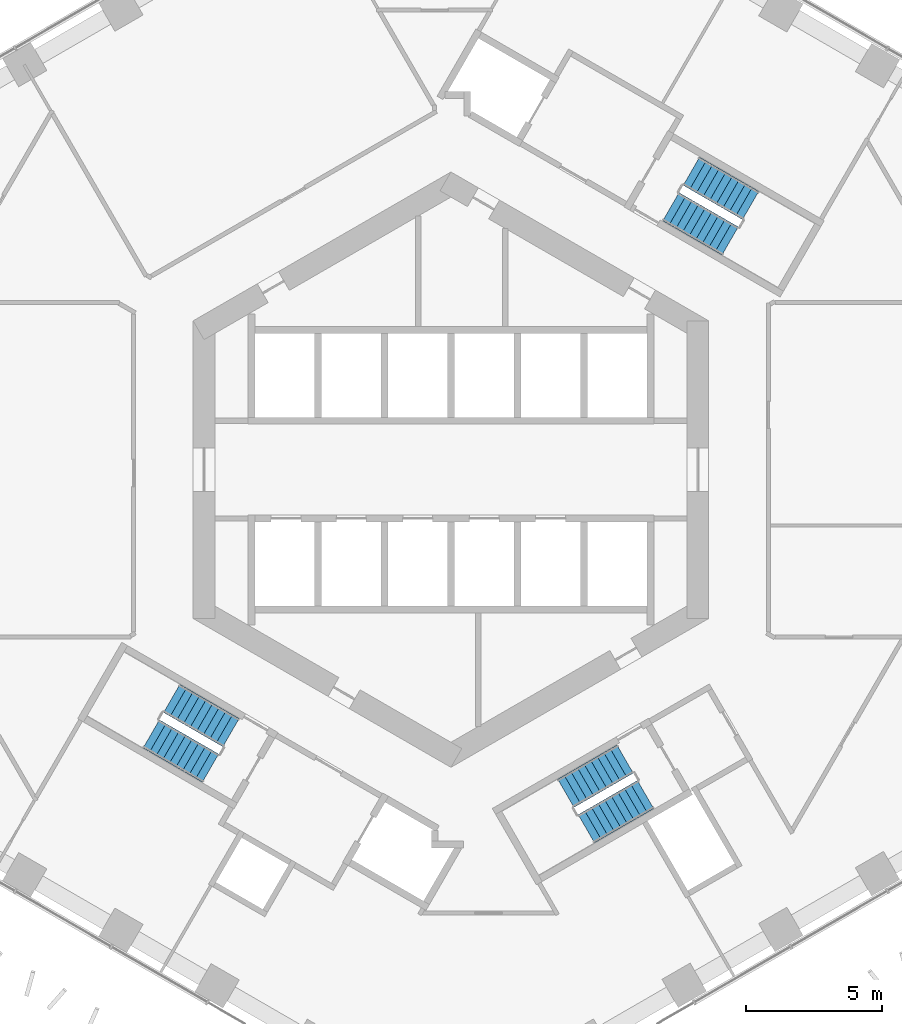
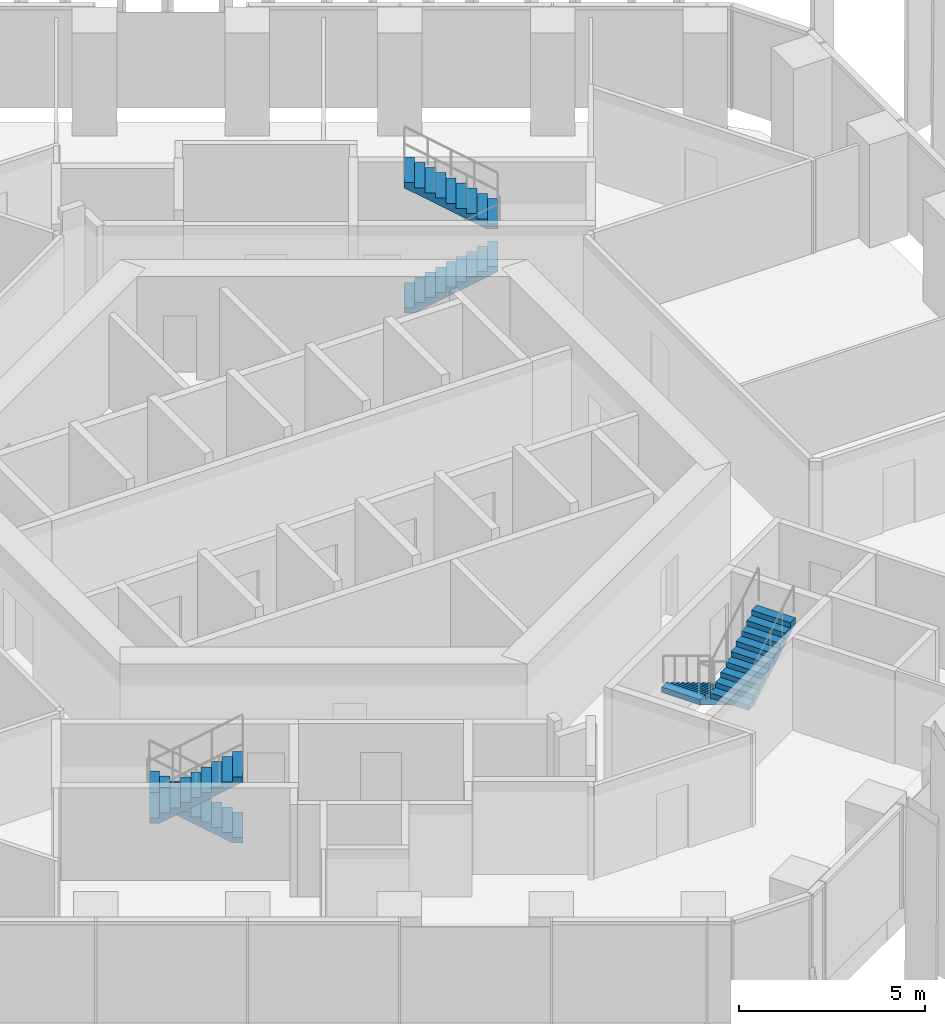
# One storey, part 15 of 18: 6 stair flights, 3 elements without a shape of their own.
"""IFC4 building model written with IfcOpenShell, lengths in metres."""

import ifcopenshell
import ifcopenshell.guid

model = None  # the IFC model being written
_history = None  # IfcOwnerHistory: only IFC2X3 demands one
_inside = {}  # id of a spatial element -> (the spatial element, [elements in it])
_under = {}  # id of a project, library or spatial element -> (it, [spatial elements below it])
_declared = {}  # id of a project -> (the project, [libraries it declares])
_typed = {}  # id of a type object -> (the type object, [elements of that type])
_made_of = {}  # id of a material, layer set ... -> (it, [elements and type objects made of it])


def new_model(schema):
    """Start an empty IFC model of exactly this schema.

    Asked for "IFC4X3", IfcOpenShell would pick the latest addendum, in which some entities
    have other attributes; the version numbers below select the first issue.
    IFC2X3 requires an IfcOwnerHistory on every rooted entity: one is made here for all.
    """
    global model, _history
    if schema == "IFC4X3":
        model = ifcopenshell.file(schema_version=(4, 3, 0, 0))
    else:
        model = ifcopenshell.file(schema=schema)
    _inside.clear()
    _under.clear()
    _declared.clear()
    _typed.clear()
    _made_of.clear()
    _history = None
    if model.schema == "IFC2X3":
        org = make("IfcOrganization", Name="unknown")
        user = make(
            "IfcPersonAndOrganization",
            ThePerson=make("IfcPerson", FamilyName="unknown"),
            TheOrganization=org,
        )
        app = make(
            "IfcApplication",
            ApplicationDeveloper=org,
            Version="unknown",
            ApplicationFullName="unknown",
            ApplicationIdentifier="unknown",
        )
        _history = make(
            "IfcOwnerHistory",
            OwningUser=user,
            OwningApplication=app,
            ChangeAction="ADDED",
            CreationDate=0,
        )
    return model


def make(cls, **values):
    """One entity of the class cls with the attributes given. An attribute that is None is left unset."""
    return model.create_entity(
        cls, **{name: value for name, value in values.items() if value is not None}
    )


def rooted(cls, **values):
    """An entity with a GlobalId (a new one), such as an element, a storey or a relation."""
    return make(cls, GlobalId=ifcopenshell.guid.new(), OwnerHistory=_history, **values)


def si_unit(unit_type, name, prefix=None):
    """IfcSIUnit, for example si_unit("LENGTHUNIT", "METRE", prefix="MILLI")."""
    return make("IfcSIUnit", UnitType=unit_type, Prefix=prefix, Name=name)


def assignment(units):
    """IfcUnitAssignment: the units of a project."""
    return None if units is None else make("IfcUnitAssignment", Units=units)


def point(xyz):
    """IfcCartesianPoint."""
    return None if xyz is None else make("IfcCartesianPoint", Coordinates=xyz)


def direction(xyz):
    """IfcDirection."""
    return None if xyz is None else make("IfcDirection", DirectionRatios=xyz)


def frame(location, z_axis=None, x_axis=None):
    """IfcAxis2Placement3D, a coordinate frame: its origin and axes. An axis left out is left unset."""
    return make(
        "IfcAxis2Placement3D",
        Location=point(location),
        Axis=direction(z_axis),
        RefDirection=direction(x_axis),
    )


def origin():
    """The frame at (0, 0, 0) with its axes left unset."""
    return frame((0.0, 0.0, 0.0))


def place(relative_to, where):
    """IfcLocalPlacement: puts the frame where relative to a parent placement (None: the world)."""
    return make(
        "IfcLocalPlacement", PlacementRelTo=relative_to, RelativePlacement=where
    )


def context(
    kind, dimensions, precision=None, world=None, true_north=None, identifier=None
):
    """IfcGeometricRepresentationContext, for example the 3D "Model" context."""
    return make(
        "IfcGeometricRepresentationContext",
        ContextIdentifier=identifier,
        ContextType=kind,
        CoordinateSpaceDimension=dimensions,
        Precision=precision,
        WorldCoordinateSystem=world,
        TrueNorth=true_north,
    )


def subcontext(parent, identifier, kind, view, scale=None):
    """IfcGeometricRepresentationSubContext, for example "Body" below "Model"."""
    return make(
        "IfcGeometricRepresentationSubContext",
        ContextIdentifier=identifier,
        ContextType=kind,
        ParentContext=parent,
        TargetScale=scale,
        TargetView=view,
    )


def project(units=None, contexts=None):
    """IfcProject with its units and contexts."""
    return rooted(
        "IfcProject",
        Name="project",
        RepresentationContexts=contexts,
        UnitsInContext=assignment(units),
    )


def spatial(cls, under=None, at=None, **own):
    """A site, building, storey or space (cls), placed at a placement, below another one or the project."""
    s = rooted(cls, ObjectPlacement=at, **own)
    if under is not None:
        _under.setdefault(under.id(), (under, []))[1].append(s)
    return s


def point_list(points):
    """IfcCartesianPointList2D or 3D."""
    cls = (
        "IfcCartesianPointList2D" if len(points[0]) == 2 else "IfcCartesianPointList3D"
    )
    return make(cls, CoordList=points)


def triangles(points, corners, closed=None, point_numbers=None):
    """IfcTriangulatedFaceSet: each triangle names its three corners, points numbered from 1."""
    return make(
        "IfcTriangulatedFaceSet",
        Coordinates=point_list(points),
        Closed=closed,
        CoordIndex=corners,
        PnIndex=point_numbers,
    )


def shape(context_of_items, identifier, shape_type, items):
    """IfcShapeRepresentation: the items that make up one representation, for example the "Body"."""
    return make(
        "IfcShapeRepresentation",
        ContextOfItems=context_of_items,
        RepresentationIdentifier=identifier,
        RepresentationType=shape_type,
        Items=items,
    )


def material(Name=None, Category=None):
    """IfcMaterial."""
    return make("IfcMaterial", Name=Name, Category=Category)


def made_of(thing, what):
    """Note that an element or type object is made of a material, layer set ...; save() writes the relation."""
    if what is not None:
        _made_of.setdefault(what.id(), (what, []))[1].append(thing)
    return thing


def type_object(cls, material=None, **own):
    """A type object (cls), such as IfcWallType, which elements share."""
    return made_of(rooted(cls, **own), material)


def element(
    cls,
    number,
    at=None,
    inside=None,
    cuts=None,
    type_object=None,
    material=None,
    context=None,
    identifier="Body",
    shape_type=None,
    held_by="IfcProductDefinitionShape",
    body=None,
    shapes=None,
    **own,
):
    """One element of the class cls, such as IfcWall. Its Tag is "e" and its number.

    at: its placement. inside: the storey or other place that contains it. cuts: it is an
    opening in that element (IfcRelVoidsElement). A single representation is given by context,
    identifier, shape_type and body (its items); several are given by shapes. held_by: the class
    of the entity that holds the representations. save() writes the other relations.
    """
    e = rooted(cls, Tag="e%d" % number, ObjectPlacement=at, **own)
    if body is not None:
        shapes = [shape(context, identifier, shape_type, body)]
    if shapes is not None:
        e.Representation = make(held_by, Representations=shapes)
    if inside is not None:
        _inside.setdefault(inside.id(), (inside, []))[1].append(e)
    if cuts is not None:
        rooted(
            "IfcRelVoidsElement", RelatingBuildingElement=cuts, RelatedOpeningElement=e
        )
    if type_object is not None:
        _typed.setdefault(type_object.id(), (type_object, []))[1].append(e)
    return made_of(e, material)


def aggregate(whole, parts):
    """IfcRelAggregates: a whole, such as a stair, and the parts it consists of."""
    return rooted("IfcRelAggregates", RelatingObject=whole, RelatedObjects=parts)


def save(model, path):
    """Write the relations noted so far, then the file.

    IfcRelAggregates (storeys below a building ...), IfcRelContainedInSpatialStructure (elements
    in a storey), IfcRelDefinesByType, IfcRelAssociatesMaterial and IfcRelDeclares: one each for
    every whole, place, type object, material and project.
    """
    for whole, parts in _under.values():
        aggregate(whole, parts)
    for where, things in _inside.values():
        rooted(
            "IfcRelContainedInSpatialStructure",
            RelatedElements=things,
            RelatingStructure=where,
        )
    for kind, things in _typed.values():
        rooted("IfcRelDefinesByType", RelatedObjects=things, RelatingType=kind)
    for what, things in _made_of.values():
        rooted("IfcRelAssociatesMaterial", RelatedObjects=things, RelatingMaterial=what)
    for by, libraries in _declared.values():
        rooted("IfcRelDeclares", RelatingContext=by, RelatedDefinitions=libraries)
    model.write(path)


model = new_model("IFC4")

# Units and contexts
model_context = context("Model", 3, precision=1e-05, world=origin(), true_north=direction((0.0, 1.0)))
body_context = subcontext(model_context, "Body", "Model", "MODEL_VIEW")
ifc_project = project(units=[si_unit("LENGTHUNIT", "METRE"), si_unit("AREAUNIT", "SQUARE_METRE"), si_unit("VOLUMEUNIT", "CUBIC_METRE"), si_unit("PLANEANGLEUNIT", "RADIAN"), si_unit("MASSUNIT", "GRAM", prefix="KILO")], contexts=[model_context])

# Site, building, storey
site_placement = place(None, origin())
site = spatial("IfcSite", under=ifc_project, at=site_placement, CompositionType="ELEMENT")
building_placement = place(site_placement, origin())
building = spatial("IfcBuilding", under=site, at=building_placement, Name="Ayvan Gate Tower", CompositionType="ELEMENT")
storey_placement = place(building_placement, frame((0.0, 0.0, 25.5)))
storey = spatial("IfcBuildingStorey", under=building, at=storey_placement, Name="L05", CompositionType="ELEMENT", Elevation=25.5)

# Stair, stair flights
ifc_material = material(Name="Concrete C40/50", Category="concrete")
stair_type = type_object("IfcStairType", Name="ST-EXIT", PredefinedType="HALF_TURN_STAIR", material=ifc_material)
stair_1_placement = place(storey_placement, origin())
stair_1 = element("IfcStair", 1, at=stair_1_placement, inside=storey, type_object=stair_type, Name="L05 Exit Stair S1", PredefinedType="HALF_TURN_STAIR")
stair_flight_type = type_object("IfcStairFlightType", Name="SFL-EXIT", PredefinedType="STRAIGHT", material=ifc_material)
stair_flight_1_placement = place(storey_placement, frame((8.106201171875, 9.690185546875, 0.0), z_axis=(0.0, 0.0, 1.0), x_axis=(0.866025403784, -0.5, 0.0)))
stair_flight_1 = element("IfcStairFlight", 2, at=stair_flight_1_placement, type_object=stair_flight_type, Name="STS1 flight 1", NumberOfRisers=10, NumberOfTreads=9, PredefinedType="STRAIGHT", RiserHeight=0.17, TreadLength=0.28, context=body_context, shape_type="Tessellation", body=[
    triangles([(0.288841, -0.599976, 0.0), (2.5205, -0.599976, 1.354936), (2.5205, -0.599976, 1.53), (2.24, -0.599976, 1.53), (2.24, -0.599976, 1.36), (1.96, -0.599976, 1.36), (1.96, -0.599976, 1.19), (1.68, -0.599976, 1.19), (1.68, -0.599976, 1.02), (1.4, -0.599976, 1.02), (1.4, -0.599976, 0.85), (1.12, -0.599976, 0.85), (1.12, -0.599976, 0.68), (0.84, -0.599976, 0.68), (0.84, -0.599976, 0.51), (0.56, -0.599976, 0.51), (0.56, -0.599976, 0.34), (0.28, -0.599976, 0.34), (0.28, -0.599976, 0.17), (-0.0005, -0.599976, 0.17), (-0.0005, -0.599976, 0.0), (0.288841, 0.0, 0.0), (2.5205, 0.0, 1.354936), (2.5205, 0.0, 1.53), (2.24, 0.0, 1.53), (2.24, 0.0, 1.36), (1.96, 0.0, 1.36), (1.96, 0.0, 1.19), (1.68, 0.0, 1.19), (1.68, 0.0, 1.02), (1.4, 0.0, 1.02), (1.4, 0.0, 0.85), (1.12, 0.0, 0.85), (1.12, 0.0, 0.68), (0.84, 0.0, 0.68), (0.84, 0.0, 0.51), (0.56, 0.0, 0.51), (0.56, 0.0, 0.34), (0.28, 0.0, 0.34), (0.28, 0.0, 0.17), (-0.0005, 0.0, 0.17), (-0.0005, 0.0, 0.0), (0.288841, 0.599976, 0.0), (2.5205, 0.599976, 1.354936), (2.5205, 0.599976, 1.53), (2.24, 0.599976, 1.53), (2.24, 0.599976, 1.36), (1.96, 0.599976, 1.36), (1.96, 0.599976, 1.19), (1.68, 0.599976, 1.19), (1.68, 0.599976, 1.02), (1.4, 0.599976, 1.02), (1.4, 0.599976, 0.85), (1.12, 0.599976, 0.85), (1.12, 0.599976, 0.68), (0.84, 0.599976, 0.68), (0.84, 0.599976, 0.51), (0.56, 0.599976, 0.51), (0.56, 0.599976, 0.34), (0.28, 0.599976, 0.34), (0.28, 0.599976, 0.17), (-0.0005, 0.599976, 0.17), (-0.0005, 0.599976, 0.0)], [[21, 1, 2], [63, 44, 43], [2, 3, 4], [44, 46, 45], [2, 4, 5], [44, 47, 46], [2, 5, 6], [44, 48, 47], [2, 6, 7], [44, 49, 48], [7, 8, 9], [49, 51, 50], [2, 7, 9], [44, 51, 49], [9, 10, 11], [51, 53, 52], [2, 9, 11], [44, 53, 51], [11, 12, 13], [53, 55, 54], [2, 11, 13], [44, 55, 53], [13, 14, 15], [55, 57, 56], [2, 13, 15], [44, 57, 55], [15, 16, 17], [57, 59, 58], [2, 15, 17], [44, 59, 57], [17, 18, 19], [59, 61, 60], [2, 17, 19], [44, 61, 59], [21, 2, 19], [63, 61, 44], [19, 20, 21], [61, 63, 62], [1, 22, 23], [1, 23, 2], [43, 23, 22], [43, 44, 23], [2, 23, 24], [2, 24, 3], [44, 24, 23], [44, 45, 24], [3, 24, 25], [3, 25, 4], [45, 25, 24], [45, 46, 25], [4, 25, 26], [4, 26, 5], [46, 26, 25], [46, 47, 26], [5, 26, 27], [5, 27, 6], [47, 27, 26], [47, 48, 27], [6, 27, 28], [6, 28, 7], [48, 28, 27], [48, 49, 28], [7, 28, 29], [7, 29, 8], [49, 29, 28], [49, 50, 29], [8, 29, 30], [8, 30, 9], [50, 30, 29], [50, 51, 30], [9, 30, 31], [9, 31, 10], [51, 31, 30], [51, 52, 31], [10, 31, 32], [10, 32, 11], [52, 32, 31], [52, 53, 32], [11, 32, 33], [11, 33, 12], [53, 33, 32], [53, 54, 33], [12, 33, 34], [12, 34, 13], [54, 34, 33], [54, 55, 34], [13, 34, 35], [13, 35, 14], [55, 35, 34], [55, 56, 35], [14, 35, 36], [14, 36, 15], [56, 36, 35], [56, 57, 36], [15, 36, 37], [15, 37, 16], [57, 37, 36], [57, 58, 37], [16, 37, 38], [16, 38, 17], [58, 38, 37], [58, 59, 38], [17, 38, 39], [17, 39, 18], [59, 39, 38], [59, 60, 39], [18, 39, 40], [18, 40, 19], [60, 40, 39], [60, 61, 40], [19, 40, 41], [19, 41, 20], [61, 41, 40], [61, 62, 41], [20, 41, 42], [20, 42, 21], [62, 42, 41], [62, 63, 42], [21, 42, 22], [21, 22, 1], [63, 22, 42], [63, 43, 22]], closed=True),
])
stair_flight_2_placement = place(storey_placement, frame((11.04345703125, 9.73779296875, 1.699951171875), z_axis=(0.0, 0.0, 1.0), x_axis=(-0.866025403784, 0.5, 0.0)))
stair_flight_2 = element("IfcStairFlight", 3, at=stair_flight_2_placement, type_object=stair_flight_type, Name="STS1 flight 2", NumberOfRisers=10, NumberOfTreads=9, PredefinedType="STRAIGHT", RiserHeight=0.17, TreadLength=0.28, context=body_context, shape_type="Tessellation", body=[
    triangles([(0.288841, -0.599976, 0.0), (2.5205, -0.599976, 1.354936), (2.5205, -0.599976, 1.53), (2.24, -0.599976, 1.53), (2.24, -0.599976, 1.36), (1.96, -0.599976, 1.36), (1.96, -0.599976, 1.19), (1.68, -0.599976, 1.19), (1.68, -0.599976, 1.02), (1.4, -0.599976, 1.02), (1.4, -0.599976, 0.85), (1.12, -0.599976, 0.85), (1.12, -0.599976, 0.68), (0.84, -0.599976, 0.68), (0.84, -0.599976, 0.51), (0.56, -0.599976, 0.51), (0.56, -0.599976, 0.34), (0.28, -0.599976, 0.34), (0.28, -0.599976, 0.17), (-0.0005, -0.599976, 0.17), (-0.0005, -0.599976, 0.0), (0.288841, 0.0, 0.0), (2.5205, 0.0, 1.354936), (2.5205, 0.0, 1.53), (2.24, 0.0, 1.53), (2.24, 0.0, 1.36), (1.96, 0.0, 1.36), (1.96, 0.0, 1.19), (1.68, 0.0, 1.19), (1.68, 0.0, 1.02), (1.4, 0.0, 1.02), (1.4, 0.0, 0.85), (1.12, 0.0, 0.85), (1.12, 0.0, 0.68), (0.84, 0.0, 0.68), (0.84, 0.0, 0.51), (0.56, 0.0, 0.51), (0.56, 0.0, 0.34), (0.28, 0.0, 0.34), (0.28, 0.0, 0.17), (-0.0005, 0.0, 0.17), (-0.0005, 0.0, 0.0), (0.288841, 0.599976, 0.0), (2.5205, 0.599976, 1.354936), (2.5205, 0.599976, 1.53), (2.24, 0.599976, 1.53), (2.24, 0.599976, 1.36), (1.96, 0.599976, 1.36), (1.96, 0.599976, 1.19), (1.68, 0.599976, 1.19), (1.68, 0.599976, 1.02), (1.4, 0.599976, 1.02), (1.4, 0.599976, 0.85), (1.12, 0.599976, 0.85), (1.12, 0.599976, 0.68), (0.84, 0.599976, 0.68), (0.84, 0.599976, 0.51), (0.56, 0.599976, 0.51), (0.56, 0.599976, 0.34), (0.28, 0.599976, 0.34), (0.28, 0.599976, 0.17), (-0.0005, 0.599976, 0.17), (-0.0005, 0.599976, 0.0)], [[21, 1, 2], [63, 44, 43], [2, 3, 4], [44, 46, 45], [2, 4, 5], [44, 47, 46], [2, 5, 6], [44, 48, 47], [2, 6, 7], [44, 49, 48], [7, 8, 9], [49, 51, 50], [2, 7, 9], [44, 51, 49], [9, 10, 11], [51, 53, 52], [2, 9, 11], [44, 53, 51], [11, 12, 13], [53, 55, 54], [2, 11, 13], [44, 55, 53], [13, 14, 15], [55, 57, 56], [2, 13, 15], [44, 57, 55], [15, 16, 17], [57, 59, 58], [2, 15, 17], [44, 59, 57], [17, 18, 19], [59, 61, 60], [2, 17, 19], [44, 61, 59], [21, 2, 19], [63, 61, 44], [19, 20, 21], [61, 63, 62], [1, 22, 23], [1, 23, 2], [43, 23, 22], [43, 44, 23], [2, 23, 24], [2, 24, 3], [44, 24, 23], [44, 45, 24], [3, 24, 25], [3, 25, 4], [45, 25, 24], [45, 46, 25], [4, 25, 26], [4, 26, 5], [46, 26, 25], [46, 47, 26], [5, 26, 27], [5, 27, 6], [47, 27, 26], [47, 48, 27], [6, 27, 28], [6, 28, 7], [48, 28, 27], [48, 49, 28], [7, 28, 29], [7, 29, 8], [49, 29, 28], [49, 50, 29], [8, 29, 30], [8, 30, 9], [50, 30, 29], [50, 51, 30], [9, 30, 31], [9, 31, 10], [51, 31, 30], [51, 52, 31], [10, 31, 32], [10, 32, 11], [52, 32, 31], [52, 53, 32], [11, 32, 33], [11, 33, 12], [53, 33, 32], [53, 54, 33], [12, 33, 34], [12, 34, 13], [54, 34, 33], [54, 55, 34], [13, 34, 35], [13, 35, 14], [55, 35, 34], [55, 56, 35], [14, 35, 36], [14, 36, 15], [56, 36, 35], [56, 57, 36], [15, 36, 37], [15, 37, 16], [57, 37, 36], [57, 58, 37], [16, 37, 38], [16, 38, 17], [58, 38, 37], [58, 59, 38], [17, 38, 39], [17, 39, 18], [59, 39, 38], [59, 60, 39], [18, 39, 40], [18, 40, 19], [60, 40, 39], [60, 61, 40], [19, 40, 41], [19, 41, 20], [61, 41, 40], [61, 62, 41], [20, 41, 42], [20, 42, 21], [62, 42, 41], [62, 63, 42], [21, 42, 22], [21, 22, 1], [63, 22, 42], [63, 43, 22]], closed=True),
])
aggregate(stair_1, [stair_flight_1, stair_flight_2])

stair_2_placement = place(storey_placement, origin())
stair_2 = element("IfcStair", 4, at=stair_2_placement, inside=storey, type_object=stair_type, Name="L05 Exit Stair S2", PredefinedType="HALF_TURN_STAIR")
stair_flight_3_placement = place(storey_placement, frame((-8.106201171875, -9.690185546875, 0.0), z_axis=(0.0, 0.0, 1.0), x_axis=(-0.866025403784, 0.5, 0.0)))
stair_flight_3 = element("IfcStairFlight", 5, at=stair_flight_3_placement, type_object=stair_flight_type, Name="STS2 flight 1", NumberOfRisers=10, NumberOfTreads=9, PredefinedType="STRAIGHT", RiserHeight=0.17, TreadLength=0.28, context=body_context, shape_type="Tessellation", body=[
    triangles([(0.288841, -0.599976, 0.0), (2.5205, -0.599976, 1.354936), (2.5205, -0.599976, 1.53), (2.24, -0.599976, 1.53), (2.24, -0.599976, 1.36), (1.96, -0.599976, 1.36), (1.96, -0.599976, 1.19), (1.68, -0.599976, 1.19), (1.68, -0.599976, 1.02), (1.4, -0.599976, 1.02), (1.4, -0.599976, 0.85), (1.12, -0.599976, 0.85), (1.12, -0.599976, 0.68), (0.84, -0.599976, 0.68), (0.84, -0.599976, 0.51), (0.56, -0.599976, 0.51), (0.56, -0.599976, 0.34), (0.28, -0.599976, 0.34), (0.28, -0.599976, 0.17), (-0.0005, -0.599976, 0.17), (-0.0005, -0.599976, 0.0), (0.288841, 0.0, 0.0), (2.5205, 0.0, 1.354936), (2.5205, 0.0, 1.53), (2.24, 0.0, 1.53), (2.24, 0.0, 1.36), (1.96, 0.0, 1.36), (1.96, 0.0, 1.19), (1.68, 0.0, 1.19), (1.68, 0.0, 1.02), (1.4, 0.0, 1.02), (1.4, 0.0, 0.85), (1.12, 0.0, 0.85), (1.12, 0.0, 0.68), (0.84, 0.0, 0.68), (0.84, 0.0, 0.51), (0.56, 0.0, 0.51), (0.56, 0.0, 0.34), (0.28, 0.0, 0.34), (0.28, 0.0, 0.17), (-0.0005, 0.0, 0.17), (-0.0005, 0.0, 0.0), (0.288841, 0.599976, 0.0), (2.5205, 0.599976, 1.354936), (2.5205, 0.599976, 1.53), (2.24, 0.599976, 1.53), (2.24, 0.599976, 1.36), (1.96, 0.599976, 1.36), (1.96, 0.599976, 1.19), (1.68, 0.599976, 1.19), (1.68, 0.599976, 1.02), (1.4, 0.599976, 1.02), (1.4, 0.599976, 0.85), (1.12, 0.599976, 0.85), (1.12, 0.599976, 0.68), (0.84, 0.599976, 0.68), (0.84, 0.599976, 0.51), (0.56, 0.599976, 0.51), (0.56, 0.599976, 0.34), (0.28, 0.599976, 0.34), (0.28, 0.599976, 0.17), (-0.0005, 0.599976, 0.17), (-0.0005, 0.599976, 0.0)], [[21, 1, 2], [63, 44, 43], [2, 3, 4], [44, 46, 45], [2, 4, 5], [44, 47, 46], [2, 5, 6], [44, 48, 47], [2, 6, 7], [44, 49, 48], [7, 8, 9], [49, 51, 50], [2, 7, 9], [44, 51, 49], [9, 10, 11], [51, 53, 52], [2, 9, 11], [44, 53, 51], [11, 12, 13], [53, 55, 54], [2, 11, 13], [44, 55, 53], [13, 14, 15], [55, 57, 56], [2, 13, 15], [44, 57, 55], [15, 16, 17], [57, 59, 58], [2, 15, 17], [44, 59, 57], [17, 18, 19], [59, 61, 60], [2, 17, 19], [44, 61, 59], [21, 2, 19], [63, 61, 44], [19, 20, 21], [61, 63, 62], [1, 22, 23], [1, 23, 2], [43, 23, 22], [43, 44, 23], [2, 23, 24], [2, 24, 3], [44, 24, 23], [44, 45, 24], [3, 24, 25], [3, 25, 4], [45, 25, 24], [45, 46, 25], [4, 25, 26], [4, 26, 5], [46, 26, 25], [46, 47, 26], [5, 26, 27], [5, 27, 6], [47, 27, 26], [47, 48, 27], [6, 27, 28], [6, 28, 7], [48, 28, 27], [48, 49, 28], [7, 28, 29], [7, 29, 8], [49, 29, 28], [49, 50, 29], [8, 29, 30], [8, 30, 9], [50, 30, 29], [50, 51, 30], [9, 30, 31], [9, 31, 10], [51, 31, 30], [51, 52, 31], [10, 31, 32], [10, 32, 11], [52, 32, 31], [52, 53, 32], [11, 32, 33], [11, 33, 12], [53, 33, 32], [53, 54, 33], [12, 33, 34], [12, 34, 13], [54, 34, 33], [54, 55, 34], [13, 34, 35], [13, 35, 14], [55, 35, 34], [55, 56, 35], [14, 35, 36], [14, 36, 15], [56, 36, 35], [56, 57, 36], [15, 36, 37], [15, 37, 16], [57, 37, 36], [57, 58, 37], [16, 37, 38], [16, 38, 17], [58, 38, 37], [58, 59, 38], [17, 38, 39], [17, 39, 18], [59, 39, 38], [59, 60, 39], [18, 39, 40], [18, 40, 19], [60, 40, 39], [60, 61, 40], [19, 40, 41], [19, 41, 20], [61, 41, 40], [61, 62, 41], [20, 41, 42], [20, 42, 21], [62, 42, 41], [62, 63, 42], [21, 42, 22], [21, 22, 1], [63, 22, 42], [63, 43, 22]], closed=True),
])
stair_flight_4_placement = place(storey_placement, frame((-11.04345703125, -9.73779296875, 1.699951171875), z_axis=(0.0, 0.0, 1.0), x_axis=(0.866025403784, -0.5, 0.0)))
stair_flight_4 = element("IfcStairFlight", 6, at=stair_flight_4_placement, type_object=stair_flight_type, Name="STS2 flight 2", NumberOfRisers=10, NumberOfTreads=9, PredefinedType="STRAIGHT", RiserHeight=0.17, TreadLength=0.28, context=body_context, shape_type="Tessellation", body=[
    triangles([(0.288841, -0.599976, 0.0), (2.5205, -0.599976, 1.354936), (2.5205, -0.599976, 1.53), (2.24, -0.599976, 1.53), (2.24, -0.599976, 1.36), (1.96, -0.599976, 1.36), (1.96, -0.599976, 1.19), (1.68, -0.599976, 1.19), (1.68, -0.599976, 1.02), (1.4, -0.599976, 1.02), (1.4, -0.599976, 0.85), (1.12, -0.599976, 0.85), (1.12, -0.599976, 0.68), (0.84, -0.599976, 0.68), (0.84, -0.599976, 0.51), (0.56, -0.599976, 0.51), (0.56, -0.599976, 0.34), (0.28, -0.599976, 0.34), (0.28, -0.599976, 0.17), (-0.0005, -0.599976, 0.17), (-0.0005, -0.599976, 0.0), (0.288841, 0.0, 0.0), (2.5205, 0.0, 1.354936), (2.5205, 0.0, 1.53), (2.24, 0.0, 1.53), (2.24, 0.0, 1.36), (1.96, 0.0, 1.36), (1.96, 0.0, 1.19), (1.68, 0.0, 1.19), (1.68, 0.0, 1.02), (1.4, 0.0, 1.02), (1.4, 0.0, 0.85), (1.12, 0.0, 0.85), (1.12, 0.0, 0.68), (0.84, 0.0, 0.68), (0.84, 0.0, 0.51), (0.56, 0.0, 0.51), (0.56, 0.0, 0.34), (0.28, 0.0, 0.34), (0.28, 0.0, 0.17), (-0.0005, 0.0, 0.17), (-0.0005, 0.0, 0.0), (0.288841, 0.599976, 0.0), (2.5205, 0.599976, 1.354936), (2.5205, 0.599976, 1.53), (2.24, 0.599976, 1.53), (2.24, 0.599976, 1.36), (1.96, 0.599976, 1.36), (1.96, 0.599976, 1.19), (1.68, 0.599976, 1.19), (1.68, 0.599976, 1.02), (1.4, 0.599976, 1.02), (1.4, 0.599976, 0.85), (1.12, 0.599976, 0.85), (1.12, 0.599976, 0.68), (0.84, 0.599976, 0.68), (0.84, 0.599976, 0.51), (0.56, 0.599976, 0.51), (0.56, 0.599976, 0.34), (0.28, 0.599976, 0.34), (0.28, 0.599976, 0.17), (-0.0005, 0.599976, 0.17), (-0.0005, 0.599976, 0.0)], [[21, 1, 2], [63, 44, 43], [2, 3, 4], [44, 46, 45], [2, 4, 5], [44, 47, 46], [2, 5, 6], [44, 48, 47], [2, 6, 7], [44, 49, 48], [7, 8, 9], [49, 51, 50], [2, 7, 9], [44, 51, 49], [9, 10, 11], [51, 53, 52], [2, 9, 11], [44, 53, 51], [11, 12, 13], [53, 55, 54], [2, 11, 13], [44, 55, 53], [13, 14, 15], [55, 57, 56], [2, 13, 15], [44, 57, 55], [15, 16, 17], [57, 59, 58], [2, 15, 17], [44, 59, 57], [17, 18, 19], [59, 61, 60], [2, 17, 19], [44, 61, 59], [21, 2, 19], [63, 61, 44], [19, 20, 21], [61, 63, 62], [1, 22, 23], [1, 23, 2], [43, 23, 22], [43, 44, 23], [2, 23, 24], [2, 24, 3], [44, 24, 23], [44, 45, 24], [3, 24, 25], [3, 25, 4], [45, 25, 24], [45, 46, 25], [4, 25, 26], [4, 26, 5], [46, 26, 25], [46, 47, 26], [5, 26, 27], [5, 27, 6], [47, 27, 26], [47, 48, 27], [6, 27, 28], [6, 28, 7], [48, 28, 27], [48, 49, 28], [7, 28, 29], [7, 29, 8], [49, 29, 28], [49, 50, 29], [8, 29, 30], [8, 30, 9], [50, 30, 29], [50, 51, 30], [9, 30, 31], [9, 31, 10], [51, 31, 30], [51, 52, 31], [10, 31, 32], [10, 32, 11], [52, 32, 31], [52, 53, 32], [11, 32, 33], [11, 33, 12], [53, 33, 32], [53, 54, 33], [12, 33, 34], [12, 34, 13], [54, 34, 33], [54, 55, 34], [13, 34, 35], [13, 35, 14], [55, 35, 34], [55, 56, 35], [14, 35, 36], [14, 36, 15], [56, 36, 35], [56, 57, 36], [15, 36, 37], [15, 37, 16], [57, 37, 36], [57, 58, 37], [16, 37, 38], [16, 38, 17], [58, 38, 37], [58, 59, 38], [17, 38, 39], [17, 39, 18], [59, 39, 38], [59, 60, 39], [18, 39, 40], [18, 40, 19], [60, 40, 39], [60, 61, 40], [19, 40, 41], [19, 41, 20], [61, 41, 40], [61, 62, 41], [20, 41, 42], [20, 42, 21], [62, 42, 41], [62, 63, 42], [21, 42, 22], [21, 22, 1], [63, 22, 42], [63, 43, 22]], closed=True),
])
aggregate(stair_2, [stair_flight_3, stair_flight_4])

stair_3_placement = place(storey_placement, origin())
stair_3 = element("IfcStair", 7, at=stair_3_placement, inside=storey, type_object=stair_type, Name="L05 Exit Stair S3", PredefinedType="HALF_TURN_STAIR")
stair_flight_5_placement = place(storey_placement, frame((6.417236328125, -10.665283203125, 0.0), z_axis=(0.0, 0.0, 1.0), x_axis=(-0.866025403784, -0.5, 0.0)))
stair_flight_5 = element("IfcStairFlight", 8, at=stair_flight_5_placement, type_object=stair_flight_type, Name="STS3 flight 1", NumberOfRisers=10, NumberOfTreads=9, PredefinedType="STRAIGHT", RiserHeight=0.17, TreadLength=0.28, context=body_context, shape_type="Tessellation", body=[
    triangles([(0.288841, -0.599976, 0.0), (2.5205, -0.599976, 1.354936), (2.5205, -0.599976, 1.53), (2.24, -0.599976, 1.53), (2.24, -0.599976, 1.36), (1.96, -0.599976, 1.36), (1.96, -0.599976, 1.19), (1.68, -0.599976, 1.19), (1.68, -0.599976, 1.02), (1.4, -0.599976, 1.02), (1.4, -0.599976, 0.85), (1.12, -0.599976, 0.85), (1.12, -0.599976, 0.68), (0.84, -0.599976, 0.68), (0.84, -0.599976, 0.51), (0.56, -0.599976, 0.51), (0.56, -0.599976, 0.34), (0.28, -0.599976, 0.34), (0.28, -0.599976, 0.17), (-0.0005, -0.599976, 0.17), (-0.0005, -0.599976, 0.0), (0.288841, 0.0, 0.0), (2.5205, 0.0, 1.354936), (2.5205, 0.0, 1.53), (2.24, 0.0, 1.53), (2.24, 0.0, 1.36), (1.96, 0.0, 1.36), (1.96, 0.0, 1.19), (1.68, 0.0, 1.19), (1.68, 0.0, 1.02), (1.4, 0.0, 1.02), (1.4, 0.0, 0.85), (1.12, 0.0, 0.85), (1.12, 0.0, 0.68), (0.84, 0.0, 0.68), (0.84, 0.0, 0.51), (0.56, 0.0, 0.51), (0.56, 0.0, 0.34), (0.28, 0.0, 0.34), (0.28, 0.0, 0.17), (-0.0005, 0.0, 0.17), (-0.0005, 0.0, 0.0), (0.288841, 0.599976, 0.0), (2.5205, 0.599976, 1.354936), (2.5205, 0.599976, 1.53), (2.24, 0.599976, 1.53), (2.24, 0.599976, 1.36), (1.96, 0.599976, 1.36), (1.96, 0.599976, 1.19), (1.68, 0.599976, 1.19), (1.68, 0.599976, 1.02), (1.4, 0.599976, 1.02), (1.4, 0.599976, 0.85), (1.12, 0.599976, 0.85), (1.12, 0.599976, 0.68), (0.84, 0.599976, 0.68), (0.84, 0.599976, 0.51), (0.56, 0.599976, 0.51), (0.56, 0.599976, 0.34), (0.28, 0.599976, 0.34), (0.28, 0.599976, 0.17), (-0.0005, 0.599976, 0.17), (-0.0005, 0.599976, 0.0)], [[21, 1, 2], [63, 44, 43], [2, 3, 4], [44, 46, 45], [2, 4, 5], [44, 47, 46], [2, 5, 6], [44, 48, 47], [2, 6, 7], [44, 49, 48], [7, 8, 9], [49, 51, 50], [2, 7, 9], [44, 51, 49], [9, 10, 11], [51, 53, 52], [2, 9, 11], [44, 53, 51], [11, 12, 13], [53, 55, 54], [2, 11, 13], [44, 55, 53], [13, 14, 15], [55, 57, 56], [2, 13, 15], [44, 57, 55], [15, 16, 17], [57, 59, 58], [2, 15, 17], [44, 59, 57], [17, 18, 19], [59, 61, 60], [2, 17, 19], [44, 61, 59], [21, 2, 19], [63, 61, 44], [19, 20, 21], [61, 63, 62], [1, 22, 23], [1, 23, 2], [43, 23, 22], [43, 44, 23], [2, 23, 24], [2, 24, 3], [44, 24, 23], [44, 45, 24], [3, 24, 25], [3, 25, 4], [45, 25, 24], [45, 46, 25], [4, 25, 26], [4, 26, 5], [46, 26, 25], [46, 47, 26], [5, 26, 27], [5, 27, 6], [47, 27, 26], [47, 48, 27], [6, 27, 28], [6, 28, 7], [48, 28, 27], [48, 49, 28], [7, 28, 29], [7, 29, 8], [49, 29, 28], [49, 50, 29], [8, 29, 30], [8, 30, 9], [50, 30, 29], [50, 51, 30], [9, 30, 31], [9, 31, 10], [51, 31, 30], [51, 52, 31], [10, 31, 32], [10, 32, 11], [52, 32, 31], [52, 53, 32], [11, 32, 33], [11, 33, 12], [53, 33, 32], [53, 54, 33], [12, 33, 34], [12, 34, 13], [54, 34, 33], [54, 55, 34], [13, 34, 35], [13, 35, 14], [55, 35, 34], [55, 56, 35], [14, 35, 36], [14, 36, 15], [56, 36, 35], [56, 57, 36], [15, 36, 37], [15, 37, 16], [57, 37, 36], [57, 58, 37], [16, 37, 38], [16, 38, 17], [58, 38, 37], [58, 59, 38], [17, 38, 39], [17, 39, 18], [59, 39, 38], [59, 60, 39], [18, 39, 40], [18, 40, 19], [60, 40, 39], [60, 61, 40], [19, 40, 41], [19, 41, 20], [61, 41, 40], [61, 62, 41], [20, 41, 42], [20, 42, 21], [62, 42, 41], [62, 63, 42], [21, 42, 22], [21, 22, 1], [63, 22, 42], [63, 43, 22]], closed=True),
])
stair_flight_6_placement = place(storey_placement, frame((4.989990234375, -13.23291015625, 1.699951171875), z_axis=(0.0, 0.0, 1.0), x_axis=(0.866025403784, 0.5, 0.0)))
stair_flight_6 = element("IfcStairFlight", 9, at=stair_flight_6_placement, type_object=stair_flight_type, Name="STS3 flight 2", NumberOfRisers=10, NumberOfTreads=9, PredefinedType="STRAIGHT", RiserHeight=0.17, TreadLength=0.28, context=body_context, shape_type="Tessellation", body=[
    triangles([(0.288841, -0.599976, 0.0), (2.5205, -0.599976, 1.354936), (2.5205, -0.599976, 1.53), (2.24, -0.599976, 1.53), (2.24, -0.599976, 1.36), (1.96, -0.599976, 1.36), (1.96, -0.599976, 1.19), (1.68, -0.599976, 1.19), (1.68, -0.599976, 1.02), (1.4, -0.599976, 1.02), (1.4, -0.599976, 0.85), (1.12, -0.599976, 0.85), (1.12, -0.599976, 0.68), (0.84, -0.599976, 0.68), (0.84, -0.599976, 0.51), (0.56, -0.599976, 0.51), (0.56, -0.599976, 0.34), (0.28, -0.599976, 0.34), (0.28, -0.599976, 0.17), (-0.0005, -0.599976, 0.17), (-0.0005, -0.599976, 0.0), (0.288841, 0.0, 0.0), (2.5205, 0.0, 1.354936), (2.5205, 0.0, 1.53), (2.24, 0.0, 1.53), (2.24, 0.0, 1.36), (1.96, 0.0, 1.36), (1.96, 0.0, 1.19), (1.68, 0.0, 1.19), (1.68, 0.0, 1.02), (1.4, 0.0, 1.02), (1.4, 0.0, 0.85), (1.12, 0.0, 0.85), (1.12, 0.0, 0.68), (0.84, 0.0, 0.68), (0.84, 0.0, 0.51), (0.56, 0.0, 0.51), (0.56, 0.0, 0.34), (0.28, 0.0, 0.34), (0.28, 0.0, 0.17), (-0.0005, 0.0, 0.17), (-0.0005, 0.0, 0.0), (0.288841, 0.599976, 0.0), (2.5205, 0.599976, 1.354936), (2.5205, 0.599976, 1.53), (2.24, 0.599976, 1.53), (2.24, 0.599976, 1.36), (1.96, 0.599976, 1.36), (1.96, 0.599976, 1.19), (1.68, 0.599976, 1.19), (1.68, 0.599976, 1.02), (1.4, 0.599976, 1.02), (1.4, 0.599976, 0.85), (1.12, 0.599976, 0.85), (1.12, 0.599976, 0.68), (0.84, 0.599976, 0.68), (0.84, 0.599976, 0.51), (0.56, 0.599976, 0.51), (0.56, 0.599976, 0.34), (0.28, 0.599976, 0.34), (0.28, 0.599976, 0.17), (-0.0005, 0.599976, 0.17), (-0.0005, 0.599976, 0.0)], [[21, 1, 2], [63, 44, 43], [2, 3, 4], [44, 46, 45], [2, 4, 5], [44, 47, 46], [2, 5, 6], [44, 48, 47], [2, 6, 7], [44, 49, 48], [7, 8, 9], [49, 51, 50], [2, 7, 9], [44, 51, 49], [9, 10, 11], [51, 53, 52], [2, 9, 11], [44, 53, 51], [11, 12, 13], [53, 55, 54], [2, 11, 13], [44, 55, 53], [13, 14, 15], [55, 57, 56], [2, 13, 15], [44, 57, 55], [15, 16, 17], [57, 59, 58], [2, 15, 17], [44, 59, 57], [17, 18, 19], [59, 61, 60], [2, 17, 19], [44, 61, 59], [21, 2, 19], [63, 61, 44], [19, 20, 21], [61, 63, 62], [1, 22, 23], [1, 23, 2], [43, 23, 22], [43, 44, 23], [2, 23, 24], [2, 24, 3], [44, 24, 23], [44, 45, 24], [3, 24, 25], [3, 25, 4], [45, 25, 24], [45, 46, 25], [4, 25, 26], [4, 26, 5], [46, 26, 25], [46, 47, 26], [5, 26, 27], [5, 27, 6], [47, 27, 26], [47, 48, 27], [6, 27, 28], [6, 28, 7], [48, 28, 27], [48, 49, 28], [7, 28, 29], [7, 29, 8], [49, 29, 28], [49, 50, 29], [8, 29, 30], [8, 30, 9], [50, 30, 29], [50, 51, 30], [9, 30, 31], [9, 31, 10], [51, 31, 30], [51, 52, 31], [10, 31, 32], [10, 32, 11], [52, 32, 31], [52, 53, 32], [11, 32, 33], [11, 33, 12], [53, 33, 32], [53, 54, 33], [12, 33, 34], [12, 34, 13], [54, 34, 33], [54, 55, 34], [13, 34, 35], [13, 35, 14], [55, 35, 34], [55, 56, 35], [14, 35, 36], [14, 36, 15], [56, 36, 35], [56, 57, 36], [15, 36, 37], [15, 37, 16], [57, 37, 36], [57, 58, 37], [16, 37, 38], [16, 38, 17], [58, 38, 37], [58, 59, 38], [17, 38, 39], [17, 39, 18], [59, 39, 38], [59, 60, 39], [18, 39, 40], [18, 40, 19], [60, 40, 39], [60, 61, 40], [19, 40, 41], [19, 41, 20], [61, 41, 40], [61, 62, 41], [20, 41, 42], [20, 42, 21], [62, 42, 41], [62, 63, 42], [21, 42, 22], [21, 22, 1], [63, 22, 42], [63, 43, 22]], closed=True),
])
aggregate(stair_3, [stair_flight_5, stair_flight_6])

save(model, "model.ifc")
